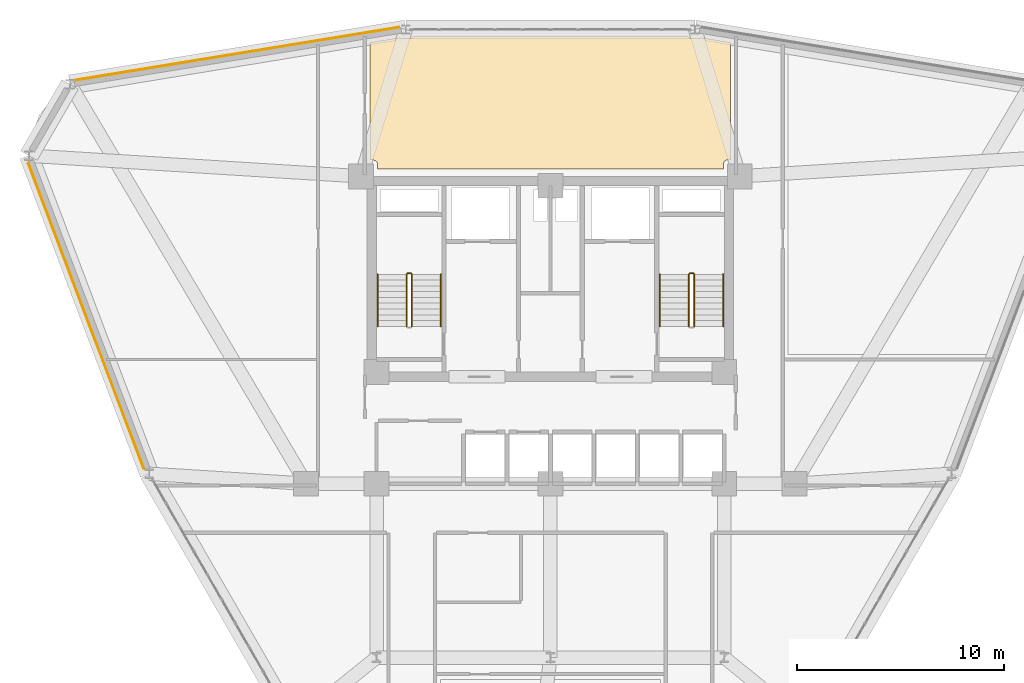
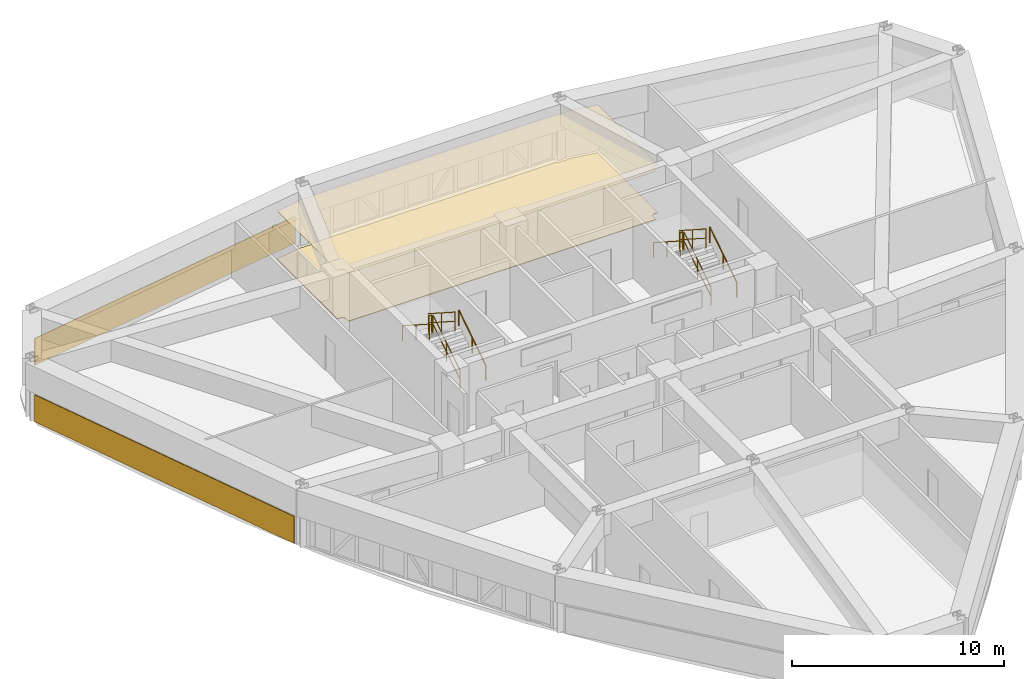
# One storey, part 14 of 15: 10 railings, 4 coverings.
"""IFC4 building model written with IfcOpenShell, lengths in metres."""

from ifc_helpers import new_model, si_unit, derived_unit, direction, frame, origin, origin_2d, place, context, subcontext, project, spatial, polyline, circle, outline, extrude, material, layer, layer_set, type_object, element, save


model = new_model("IFC4")

# Units and contexts
model_context = context("Model", 3, precision=1e-05, world=origin(), true_north=direction((0.0, 1.0)))
body_context = subcontext(model_context, "Body", "Model", "MODEL_VIEW")
ifc_project = project(units=[si_unit("LENGTHUNIT", "METRE"), si_unit("AREAUNIT", "SQUARE_METRE"), si_unit("VOLUMEUNIT", "CUBIC_METRE"), si_unit("PLANEANGLEUNIT", "RADIAN"), si_unit("MASSUNIT", "GRAM", prefix="KILO"), derived_unit("THERMALTRANSMITTANCEUNIT", [(si_unit("POWERUNIT", "WATT"), 1), (si_unit("LENGTHUNIT", "METRE"), -2), (si_unit("THERMODYNAMICTEMPERATUREUNIT", "KELVIN"), -1)])], contexts=[model_context])

# Site, building, storey
site_placement = place(None, origin())
site = spatial("IfcSite", under=ifc_project, at=site_placement, CompositionType="ELEMENT")
building_placement = place(site_placement, origin())
building = spatial("IfcBuilding", under=site, at=building_placement, Name="Korsvarv Bourse and Concert Hall", CompositionType="ELEMENT")
storey_placement = place(building_placement, frame((0.0, 0.0, 109.800048828125)))
storey = spatial("IfcBuildingStorey", under=building, at=storey_placement, Name="L27", CompositionType="ELEMENT", Elevation=109.800048828125)

# Coverings
ifc_material_1 = material(Name="Perforated mineral-wool and birch acoustic baffle ceiling", Category="wood")
ifc_layer_1 = layer(ifc_material_1, 0.02490234375)
ifc_layer_set_1 = layer_set([ifc_layer_1], Name="Perforated mineral-wool and birch acoustic baffle ceiling")
covering_type_1 = type_object("IfcCoveringType", Name="COV-CEIL-1", PredefinedType="CEILING", material=ifc_layer_set_1)
covering_1_placement = place(storey_placement, frame((0.0, 0.0, 2.780029296875)))
element("IfcCovering", 1, at=covering_1_placement, inside=storey, type_object=covering_type_1, Name="L27 acoustic baffle ceiling 3", PredefinedType="CEILING", context=body_context, shape_type="SweptSolid", body=[
    extrude(outline(polyline([(28.720458984375, 53.952392578125), (28.75439453125, 53.94140625), (28.788818359375, 53.93701171875), (29.216796875, 53.927001953125), (29.251708984375, 53.9296875), (29.28564453125, 53.939208984375), (29.317138671875, 53.954833984375), (29.3447265625, 53.976318359375), (29.367919921875, 54.0029296875), (42.62841796875, 54.004638671875), (42.653076171875, 53.9794921875), (42.681640625, 53.959716796875), (42.71337890625, 53.94580078125), (42.747314453125, 53.9384765625), (43.19287109375, 53.927001953125), (43.227294921875, 53.9296875), (43.2607421875, 53.938720703125), (43.28662109375, 53.951416015625), (44.7099609375, 53.71875), (44.7099609375, 48.0400390625), (44.550048828125, 48.0400390625), (44.515380859375, 48.03662109375), (44.482177734375, 48.026611328125), (44.451416015625, 48.010498046875), (44.42431640625, 47.98876953125), (44.40185546875, 47.962158203125), (44.385009765625, 47.931640625), (44.374267578125, 47.898681640625), (44.3701171875, 47.864013671875), (44.364013671875, 47.60009765625), (27.639892578125, 47.60009765625), (27.639892578125, 47.85009765625), (27.63671875, 47.884521484375), (27.626708984375, 47.917724609375), (27.610595703125, 47.948486328125), (27.589111328125, 47.975341796875), (27.562744140625, 47.997802734375), (27.532470703125, 48.014892578125), (27.49951171875, 48.025634765625), (27.465087890625, 48.02978515625), (27.2900390625, 48.034912109375), (27.2900390625, 53.71875), (28.720458984375, 53.952392578125)])), origin(), (0.0, 0.0, 1.0), 0.02490234375),
])
ifc_material_2 = material(Name="Warm iron-oxide extruded terracotta rainscreen tile", Category="ceramic")
ifc_layer_2 = layer(ifc_material_2, 0.044921875)
ifc_layer_set_2 = layer_set([ifc_layer_2], Name="Warm iron-oxide extruded terracotta rainscreen tile")
covering_type_2 = type_object("IfcCoveringType", Name="COV-CLD-TC", PredefinedType="CLADDING", material=ifc_layer_set_2)
covering_2_placement = place(storey_placement, origin())
element("IfcCovering", 2, at=covering_2_placement, inside=storey, type_object=covering_type_2, Name="L27 fluted terracotta cladding panel EW-L27-B04", PredefinedType="CLADDING", context=body_context, shape_type="SweptSolid", body=[
    extrude(outline(polyline([(28.697265625, 54.429931640625), (13.063720703125, 51.874755859375), (13.056396484375, 51.919189453125), (28.68994140625, 54.474365234375), (28.697265625, 54.429931640625)])), origin(), (0.0, 0.0, 1.0), 1.550048828125),
])
covering_3_placement = place(storey_placement, origin())
element("IfcCovering", 3, at=covering_3_placement, inside=storey, type_object=covering_type_2, Name="L27 fluted terracotta cladding panel EW-L27-B06", PredefinedType="CLADDING", context=body_context, shape_type="SweptSolid", body=[
    extrude(outline(polyline([(10.794921875, 47.896240234375), (16.376708984375, 33.13916015625), (16.33447265625, 33.123046875), (10.7529296875, 47.88037109375), (10.794921875, 47.896240234375)])), origin(), (0.0, 0.0, 1.0), 1.550048828125),
])
ifc_material_3 = material(Name="Calcium-sulphate raised access trading floor with Nordic oak top", Category="wood")
ifc_layer_3 = layer(ifc_material_3, 0.0400390625)
ifc_layer_set_3 = layer_set([ifc_layer_3], Name="Calcium-sulphate raised access trading floor with Nordic oak top")
covering_type_3 = type_object("IfcCoveringType", Name="COV-FLOR-1", PredefinedType="FLOORING", material=ifc_layer_set_3)
covering_4_placement = place(storey_placement, origin())
element("IfcCovering", 4, at=covering_4_placement, inside=storey, type_object=covering_type_3, Name="L27 raised access oak floor finish 3", PredefinedType="FLOORING", context=body_context, shape_type="SweptSolid", body=[
    extrude(outline(polyline([(28.720458984375, 53.952392578125), (28.75439453125, 53.94140625), (28.788818359375, 53.93701171875), (29.216796875, 53.927001953125), (29.251708984375, 53.9296875), (29.28564453125, 53.939208984375), (29.317138671875, 53.954833984375), (29.3447265625, 53.976318359375), (29.367919921875, 54.0029296875), (42.62841796875, 54.004638671875), (42.653076171875, 53.9794921875), (42.681640625, 53.959716796875), (42.71337890625, 53.94580078125), (42.747314453125, 53.9384765625), (43.19287109375, 53.927001953125), (43.227294921875, 53.9296875), (43.2607421875, 53.938720703125), (43.28662109375, 53.951416015625), (44.7099609375, 53.71875), (44.7099609375, 48.0400390625), (44.550048828125, 48.0400390625), (44.515380859375, 48.03662109375), (44.482177734375, 48.026611328125), (44.451416015625, 48.010498046875), (44.42431640625, 47.98876953125), (44.40185546875, 47.962158203125), (44.385009765625, 47.931640625), (44.374267578125, 47.898681640625), (44.3701171875, 47.864013671875), (44.364013671875, 47.60009765625), (27.639892578125, 47.60009765625), (27.639892578125, 47.85009765625), (27.63671875, 47.884521484375), (27.626708984375, 47.917724609375), (27.610595703125, 47.948486328125), (27.589111328125, 47.975341796875), (27.562744140625, 47.997802734375), (27.532470703125, 48.014892578125), (27.49951171875, 48.025634765625), (27.465087890625, 48.02978515625), (27.2900390625, 48.034912109375), (27.2900390625, 53.71875), (28.720458984375, 53.952392578125)])), origin(), (0.0, 0.0, 1.0), 0.0400390625),
])

# Railings
ifc_material_4 = material(Name="Painted Steel S355 stair well guardrail", Category="steel")
railing_type_1 = type_object("IfcRailingType", Name="RL-ST-GRD", PredefinedType="GUARDRAIL", material=ifc_material_4)
railing_1_placement = place(storey_placement, frame((29.31005859375, 40.0, 0.179931640625)))
element("IfcRailing", 5, at=railing_1_placement, inside=storey, type_object=railing_type_1, Name="L27 ST-T1 stair guard 1", PredefinedType="GUARDRAIL", context=body_context, shape_type="SweptSolid", body=[
    extrude(circle(Radius=0.02392578125, at=origin_2d()), frame((0.0, 0.0, 1.076171875), z_axis=(0.0, 0.841162588446, 0.540782303519), x_axis=(-1.0, 0.0, 0.0)), (0.0, 0.0, 1.0), 2.995849609375),
    extrude(circle(Radius=0.02392578125, at=origin_2d()), frame((0.0, 0.0, 0.550048828125), z_axis=(0.0, 0.841162588446, 0.540782303519), x_axis=(-1.0, 0.0, 0.0)), (0.0, 0.0, 1.0), 2.995849609375),
    extrude(circle(Radius=0.02099609375, at=origin_2d()), origin(), (0.0, 0.0, 1.0), 1.052001953125),
    extrude(circle(Radius=0.02099609375, at=origin_2d()), frame((0.0, 1.260009765625, 0.81005859375)), (0.0, 0.0, 1.0), 1.052001953125),
    extrude(circle(Radius=0.02099609375, at=origin_2d()), frame((0.0, 2.52001953125, 1.6201171875)), (0.0, 0.0, 1.0), 1.052001953125),
])
railing_2_placement = place(storey_placement, frame((29.260009765625, 42.570068359375, 1.800048828125)))
element("IfcRailing", 6, at=railing_2_placement, inside=storey, type_object=railing_type_1, Name="L27 ST-T1 stair guard 2", PredefinedType="GUARDRAIL", context=body_context, shape_type="SweptSolid", body=[
    extrude(circle(Radius=0.02392578125, at=origin_2d()), frame((0.0, 0.0, 1.076171875), z_axis=(-1.0, 0.0, 0.0), x_axis=(0.0, -1.0, 0.0)), (0.0, 0.0, 1.0), 0.159912109375),
    extrude(circle(Radius=0.02392578125, at=origin_2d()), frame((0.0, 0.0, 0.550048828125), z_axis=(-1.0, 0.0, 0.0), x_axis=(0.0, -1.0, 0.0)), (0.0, 0.0, 1.0), 0.159912109375),
    extrude(circle(Radius=0.02099609375, at=origin_2d()), origin(), (0.0, 0.0, 1.0), 1.052001953125),
    extrude(circle(Radius=0.02099609375, at=origin_2d()), frame((-0.159912109375, 0.0, 0.0)), (0.0, 0.0, 1.0), 1.052001953125),
])
railing_3_placement = place(storey_placement, frame((29.050048828125, 42.52001953125, 1.97998046875)))
element("IfcRailing", 7, at=railing_3_placement, inside=storey, type_object=railing_type_1, Name="L27 ST-T1 stair guard 3", PredefinedType="GUARDRAIL", context=body_context, shape_type="SweptSolid", body=[
    extrude(circle(Radius=0.02392578125, at=origin_2d()), frame((0.0, 0.0, 1.076171875), z_axis=(0.0, -0.841199657755, 0.540724639528), x_axis=(1.0, 0.0, 0.0)), (0.0, 0.0, 1.0), 2.995849609375),
    extrude(circle(Radius=0.02392578125, at=origin_2d()), frame((0.0, 0.0, 0.550048828125), z_axis=(0.0, -0.841199657755, 0.540724639528), x_axis=(1.0, 0.0, 0.0)), (0.0, 0.0, 1.0), 2.995849609375),
    extrude(circle(Radius=0.02099609375, at=origin_2d()), origin(), (0.0, 0.0, 1.0), 1.052001953125),
    extrude(circle(Radius=0.02099609375, at=origin_2d()), frame((0.0, -1.260009765625, 0.81005859375)), (0.0, 0.0, 1.0), 1.052001953125),
    extrude(circle(Radius=0.02099609375, at=origin_2d()), frame((0.0, -2.52001953125, 1.619873046875)), (0.0, 0.0, 1.0), 1.052001953125),
])
railing_4_placement = place(storey_placement, frame((42.949951171875, 40.0, 0.179931640625)))
element("IfcRailing", 8, at=railing_4_placement, inside=storey, type_object=railing_type_1, Name="L27 ST-T2 stair guard 1", PredefinedType="GUARDRAIL", context=body_context, shape_type="SweptSolid", body=[
    extrude(circle(Radius=0.02392578125, at=origin_2d()), frame((0.0, 0.0, 1.076171875), z_axis=(0.0, 0.841162588446, 0.540782303519), x_axis=(-1.0, 0.0, 0.0)), (0.0, 0.0, 1.0), 2.995849609375),
    extrude(circle(Radius=0.02392578125, at=origin_2d()), frame((0.0, 0.0, 0.550048828125), z_axis=(0.0, 0.841162588446, 0.540782303519), x_axis=(-1.0, 0.0, 0.0)), (0.0, 0.0, 1.0), 2.995849609375),
    extrude(circle(Radius=0.02099609375, at=origin_2d()), origin(), (0.0, 0.0, 1.0), 1.052001953125),
    extrude(circle(Radius=0.02099609375, at=origin_2d()), frame((0.0, 1.260009765625, 0.81005859375)), (0.0, 0.0, 1.0), 1.052001953125),
    extrude(circle(Radius=0.02099609375, at=origin_2d()), frame((0.0, 2.52001953125, 1.6201171875)), (0.0, 0.0, 1.0), 1.052001953125),
])
railing_5_placement = place(storey_placement, frame((42.89990234375, 42.570068359375, 1.800048828125)))
element("IfcRailing", 9, at=railing_5_placement, inside=storey, type_object=railing_type_1, Name="L27 ST-T2 stair guard 2", PredefinedType="GUARDRAIL", context=body_context, shape_type="SweptSolid", body=[
    extrude(circle(Radius=0.02392578125, at=origin_2d()), frame((0.0, 0.0, 1.076171875), z_axis=(-1.0, 0.0, 0.0), x_axis=(0.0, -1.0, 0.0)), (0.0, 0.0, 1.0), 0.159912109375),
    extrude(circle(Radius=0.02392578125, at=origin_2d()), frame((0.0, 0.0, 0.550048828125), z_axis=(-1.0, 0.0, 0.0), x_axis=(0.0, -1.0, 0.0)), (0.0, 0.0, 1.0), 0.159912109375),
    extrude(circle(Radius=0.02099609375, at=origin_2d()), origin(), (0.0, 0.0, 1.0), 1.052001953125),
    extrude(circle(Radius=0.02099609375, at=origin_2d()), frame((-0.159912109375, 0.0, 0.0)), (0.0, 0.0, 1.0), 1.052001953125),
])
railing_6_placement = place(storey_placement, frame((42.68994140625, 42.52001953125, 1.97998046875)))
element("IfcRailing", 10, at=railing_6_placement, inside=storey, type_object=railing_type_1, Name="L27 ST-T2 stair guard 3", PredefinedType="GUARDRAIL", context=body_context, shape_type="SweptSolid", body=[
    extrude(circle(Radius=0.02392578125, at=origin_2d()), frame((0.0, 0.0, 1.076171875), z_axis=(0.0, -0.841199657755, 0.540724639528), x_axis=(1.0, 0.0, 0.0)), (0.0, 0.0, 1.0), 2.995849609375),
    extrude(circle(Radius=0.02392578125, at=origin_2d()), frame((0.0, 0.0, 0.550048828125), z_axis=(0.0, -0.841199657755, 0.540724639528), x_axis=(1.0, 0.0, 0.0)), (0.0, 0.0, 1.0), 2.995849609375),
    extrude(circle(Radius=0.02099609375, at=origin_2d()), origin(), (0.0, 0.0, 1.0), 1.052001953125),
    extrude(circle(Radius=0.02099609375, at=origin_2d()), frame((0.0, -1.260009765625, 0.81005859375)), (0.0, 0.0, 1.0), 1.052001953125),
    extrude(circle(Radius=0.02099609375, at=origin_2d()), frame((0.0, -2.52001953125, 1.619873046875)), (0.0, 0.0, 1.0), 1.052001953125),
])
ifc_material_5 = material(Name="Brushed stainless Steel S355 tubular handrail", Category="steel")
railing_type_2 = type_object("IfcRailingType", Name="RL-ST-HND", PredefinedType="HANDRAIL", material=ifc_material_5)
railing_7_placement = place(storey_placement, frame((30.7099609375, 40.0, 0.179931640625)))
element("IfcRailing", 11, at=railing_7_placement, inside=storey, type_object=railing_type_2, Name="L27 ST-T1 stair handrail 1", PredefinedType="HANDRAIL", context=body_context, shape_type="SweptSolid", body=[
    extrude(circle(Radius=0.02392578125, at=origin_2d()), frame((0.0, 0.0, 0.8759765625), z_axis=(0.0, 0.841162588446, 0.540782303519), x_axis=(-1.0, 0.0, 0.0)), (0.0, 0.0, 1.0), 2.995849609375),
    extrude(circle(Radius=0.02099609375, at=origin_2d()), origin(), (0.0, 0.0, 1.0), 0.851806640625),
    extrude(circle(Radius=0.02099609375, at=origin_2d()), frame((0.0, 1.260009765625, 0.81005859375)), (0.0, 0.0, 1.0), 0.851806640625),
    extrude(circle(Radius=0.02099609375, at=origin_2d()), frame((0.0, 2.52001953125, 1.6201171875)), (0.0, 0.0, 1.0), 0.851806640625),
])
railing_8_placement = place(storey_placement, frame((27.64990234375, 42.52001953125, 1.97998046875)))
element("IfcRailing", 12, at=railing_8_placement, inside=storey, type_object=railing_type_2, Name="L27 ST-T1 stair handrail 2", PredefinedType="HANDRAIL", context=body_context, shape_type="SweptSolid", body=[
    extrude(circle(Radius=0.02392578125, at=origin_2d()), frame((0.0, 0.0, 0.8759765625), z_axis=(0.0, -0.841199657755, 0.540724639528), x_axis=(1.0, 0.0, 0.0)), (0.0, 0.0, 1.0), 2.995849609375),
    extrude(circle(Radius=0.02099609375, at=origin_2d()), origin(), (0.0, 0.0, 1.0), 0.851806640625),
    extrude(circle(Radius=0.02099609375, at=origin_2d()), frame((0.0, -1.260009765625, 0.81005859375)), (0.0, 0.0, 1.0), 0.851806640625),
    extrude(circle(Radius=0.02099609375, at=origin_2d()), frame((0.0, -2.52001953125, 1.619873046875)), (0.0, 0.0, 1.0), 0.851806640625),
])
railing_9_placement = place(storey_placement, frame((44.35009765625, 40.0, 0.179931640625)))
element("IfcRailing", 13, at=railing_9_placement, inside=storey, type_object=railing_type_2, Name="L27 ST-T2 stair handrail 1", PredefinedType="HANDRAIL", context=body_context, shape_type="SweptSolid", body=[
    extrude(circle(Radius=0.02392578125, at=origin_2d()), frame((0.0, 0.0, 0.8759765625), z_axis=(0.0, 0.841162588446, 0.540782303519), x_axis=(-1.0, 0.0, 0.0)), (0.0, 0.0, 1.0), 2.995849609375),
    extrude(circle(Radius=0.02099609375, at=origin_2d()), origin(), (0.0, 0.0, 1.0), 0.851806640625),
    extrude(circle(Radius=0.02099609375, at=origin_2d()), frame((0.0, 1.260009765625, 0.81005859375)), (0.0, 0.0, 1.0), 0.851806640625),
    extrude(circle(Radius=0.02099609375, at=origin_2d()), frame((0.0, 2.52001953125, 1.6201171875)), (0.0, 0.0, 1.0), 0.851806640625),
])
railing_10_placement = place(storey_placement, frame((41.2900390625, 42.52001953125, 1.97998046875)))
element("IfcRailing", 14, at=railing_10_placement, inside=storey, type_object=railing_type_2, Name="L27 ST-T2 stair handrail 2", PredefinedType="HANDRAIL", context=body_context, shape_type="SweptSolid", body=[
    extrude(circle(Radius=0.02392578125, at=origin_2d()), frame((0.0, 0.0, 0.8759765625), z_axis=(0.0, -0.841199657755, 0.540724639528), x_axis=(1.0, 0.0, 0.0)), (0.0, 0.0, 1.0), 2.995849609375),
    extrude(circle(Radius=0.02099609375, at=origin_2d()), origin(), (0.0, 0.0, 1.0), 0.851806640625),
    extrude(circle(Radius=0.02099609375, at=origin_2d()), frame((0.0, -1.260009765625, 0.81005859375)), (0.0, 0.0, 1.0), 0.851806640625),
    extrude(circle(Radius=0.02099609375, at=origin_2d()), frame((0.0, -2.52001953125, 1.619873046875)), (0.0, 0.0, 1.0), 0.851806640625),
])

save(model, "model.ifc")
